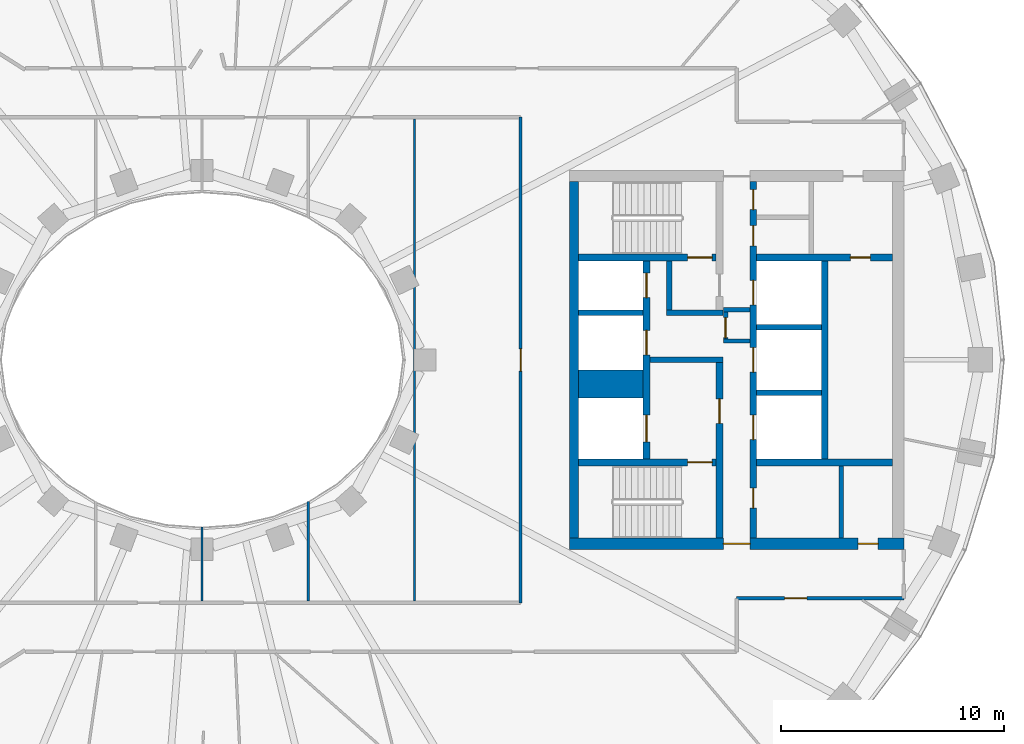
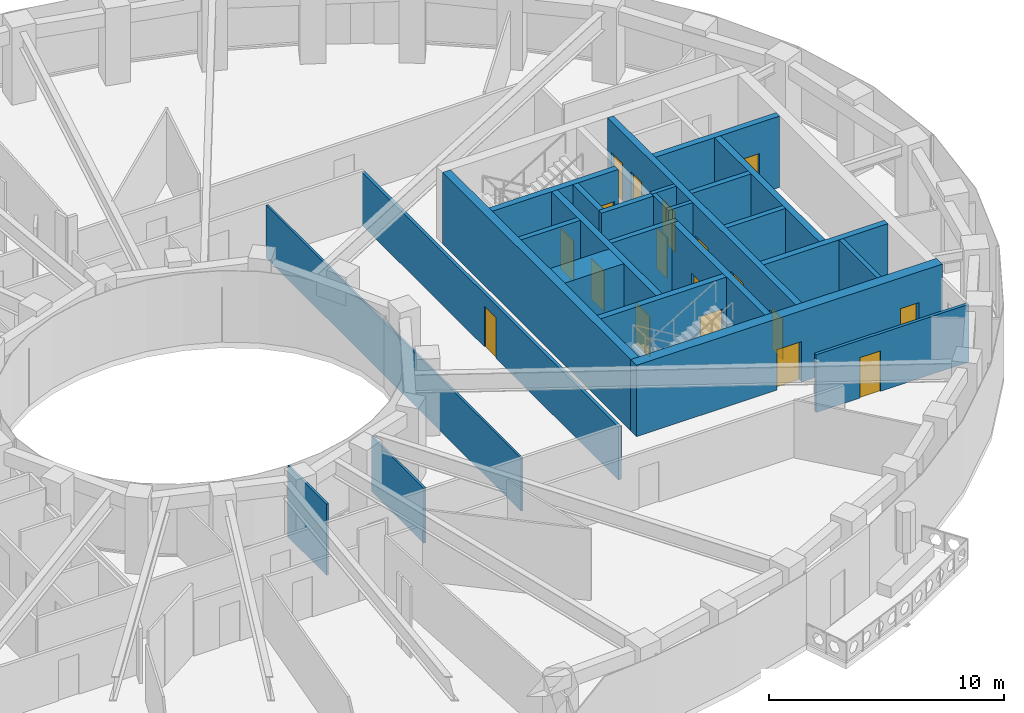
# One storey, part 5 of 15: 26 walls, 18 doors, 18 openings.
"""IFC4 building model written with IfcOpenShell, lengths in metres."""

from ifc_helpers import new_model, si_unit, direction, frame, frame_2d, origin, place, context, subcontext, project, spatial, rectangle, extrude, material, layer, layer_set, type_object, element, fill, save


model = new_model("IFC4")

# Units and contexts
model_context = context("Model", 3, precision=1e-05, world=origin(), true_north=direction((0.0, 1.0)))
body_context = subcontext(model_context, "Body", "Model", "MODEL_VIEW")
ifc_project = project(units=[si_unit("LENGTHUNIT", "METRE"), si_unit("AREAUNIT", "SQUARE_METRE"), si_unit("VOLUMEUNIT", "CUBIC_METRE"), si_unit("PLANEANGLEUNIT", "RADIAN"), si_unit("MASSUNIT", "GRAM", prefix="KILO")], contexts=[model_context])

# Site, building, storey
site_placement = place(None, origin())
site = spatial("IfcSite", under=ifc_project, at=site_placement, CompositionType="ELEMENT")
building_placement = place(site_placement, origin())
building = spatial("IfcBuilding", under=site, at=building_placement, Name="Noorbagh Ring Tower", CompositionType="ELEMENT")
storey_placement = place(building_placement, frame((0.0, 0.0, 241.5)))
storey = spatial("IfcBuildingStorey", under=building, at=storey_placement, Name="L50", CompositionType="ELEMENT", Elevation=241.5)

# Walls
ifc_material_1 = material(Name="Gypsum board on steel studs", Category="steel")
ifc_layer_1 = layer(ifc_material_1, 0.199951171875)
ifc_layer_set_1 = layer_set([ifc_layer_1], Name="Gypsum board on steel studs")
wall_type_1 = type_object("IfcWallType", Name="CORE-PARTITION-200", PredefinedType="PARTITIONING", material=ifc_layer_set_1)
for number, where, z_axis, x_axis, name in (
    (1, (23.39990234375, 0.85009765625, 0.0), (0.0, 0.0, 1.0), (1.0, 0.0, 0.0), "Core partition E"),
    (2, (23.39990234375, 2.25, 0.0), (0.0, 0.0, 1.0), (1.0, 0.0, 0.0), "Core partition E"),
):
    element("IfcWall", number, at=place(storey_placement, frame(where, z_axis=z_axis, x_axis=x_axis)), inside=storey, type_object=wall_type_1, Name=name, PredefinedType="PARTITIONING", context=body_context, shape_type="SweptSolid", body=[
        extrude(rectangle(XDim=1.2001953125, YDim=0.199951171875, at=frame_2d((0.60009765625, 0.0))), origin(), (0.0, 0.0, 1.0), 3.699951171875),
    ])

# Wall, opening, door
wall_1_placement = place(storey_placement, frame((23.5, 0.75, 0.0), z_axis=(0.0, 0.0, 1.0), x_axis=(0.0, 1.0, 0.0)))
wall_1 = element("IfcWall", 3, at=wall_1_placement, inside=storey, type_object=wall_type_1, Name="Core partition E", PredefinedType="PARTITIONING", context=body_context, shape_type="SweptSolid", body=[
    extrude(rectangle(XDim=1.60009765625, YDim=0.199951171875, at=frame_2d((0.800048828125, 0.0))), origin(), (0.0, 0.0, 1.0), 3.699951171875),
])
opening_1_placement = place(wall_1_placement, frame((0.25, 0.0, 0.0)))
opening_1 = element("IfcOpeningElement", 4, at=opening_1_placement, cuts=wall_1, Name="Opening L50-CE18", PredefinedType="OPENING", context=body_context, shape_type="SweptSolid", body=[
    extrude(rectangle(XDim=0.89990234375, YDim=2.10009765625, at=frame_2d((0.449951171875, 1.050048828125))), frame((0.0, 0.10986328125, 0.0), z_axis=(0.0, -1.0, 0.0), x_axis=(1.0, 0.0, 0.0)), (0.0, 0.0, 1.0), 0.219970703125),
])
ifc_material_2 = material(Name="Steel door leaf", Category="steel")
door_type_1 = type_object("IfcDoorType", Name="CORE-DOOR-DROOM", OperationType="SINGLE_SWING_LEFT", PredefinedType="DOOR", material=ifc_material_2)
door_1_placement = place(opening_1_placement, origin())
door_1 = element("IfcDoor", 5, at=door_1_placement, inside=storey, type_object=door_type_1, Name="Core room door L50-CE18", OperationType="SINGLE_SWING_LEFT", OverallHeight=2.10009765625, OverallWidth=0.89990234375, PredefinedType="DOOR", context=body_context, shape_type="SweptSolid", body=[
    extrude(rectangle(XDim=0.89990234375, YDim=2.10009765625, at=frame_2d((0.449951171875, 1.050048828125))), frame((0.0, 0.02490234375, 0.0), z_axis=(0.0, -1.0, 0.0), x_axis=(1.0, 0.0, 0.0)), (0.0, 0.0, 1.0), 0.050048828125),
])
fill(opening_1, door_1)

# Walls
wall_2_placement = place(storey_placement, frame((28.699951171875, -8.0, 0.0), z_axis=(0.0, 0.0, 1.0), x_axis=(0.0, 1.0, 0.0)))
element("IfcWall", 6, at=wall_2_placement, inside=storey, type_object=wall_type_1, Name="Core partition E", PredefinedType="PARTITIONING", context=body_context, shape_type="SweptSolid", body=[
    extrude(rectangle(XDim=3.25, YDim=0.199951171875, at=frame_2d((1.625, 0.0))), origin(), (0.0, 0.0, 1.0), 3.699951171875),
])
ifc_material_3 = material(Name="Concrete C60/75", Category="concrete")
ifc_layer_2 = layer(ifc_material_3, 1.25)
ifc_layer_set_2 = layer_set([ifc_layer_2], Name="Concrete C60/75")
wall_type_2 = type_object("IfcWallType", Name="CORE-WALL-1250-C60-75-EI120", PredefinedType="SHEAR", material=ifc_layer_set_2)
wall_3_placement = place(storey_placement, frame((16.89990234375, -1.074951171875, 0.0), z_axis=(0.0, 0.0, 1.0), x_axis=(1.0, 0.0, 0.0)))
element("IfcWall", 7, at=wall_3_placement, inside=storey, type_object=wall_type_2, Name="Core wall E", PredefinedType="SHEAR", context=body_context, shape_type="SweptSolid", body=[
    extrude(rectangle(XDim=2.900146484375, YDim=1.25, at=frame_2d((1.4501953125, 0.0))), origin(), (0.0, 0.0, 1.0), 3.699951171875),
])
ifc_material_4 = material(Name="Concrete C60/75", Category="concrete")
ifc_layer_3 = layer(ifc_material_4, 0.25)
ifc_layer_set_3 = layer_set([ifc_layer_3], Name="Concrete C60/75")
wall_type_3 = type_object("IfcWallType", Name="CORE-WALL-250-C60-75-EI120", PredefinedType="SHEAR", material=ifc_layer_set_3)
for number, where, z_axis, x_axis, name in (
    (8, (16.89990234375, 2.125, 0.0), (0.0, 0.0, 1.0), (1.0, 0.0, 0.0), "Core wall E"),
    (9, (24.89990234375, -1.47509765625, 0.0), (0.0, 0.0, 1.0), (1.0, 0.0, 0.0), "Core wall E"),
    (10, (24.89990234375, 1.47509765625, 0.0), (0.0, 0.0, 1.0), (1.0, 0.0, 0.0), "Core wall E"),
):
    element("IfcWall", number, at=place(storey_placement, frame(where, z_axis=z_axis, x_axis=x_axis)), inside=storey, type_object=wall_type_3, Name=name, PredefinedType="SHEAR", context=body_context, shape_type="SweptSolid", body=[
        extrude(rectangle(XDim=2.900146484375, YDim=0.25, at=frame_2d((1.4501953125, 0.0))), origin(), (0.0, 0.0, 1.0), 3.699951171875),
    ])
ifc_material_5 = material(Name="Concrete C60/75", Category="concrete")
ifc_layer_4 = layer(ifc_material_5, 0.25)
ifc_layer_set_4 = layer_set([ifc_layer_4], Name="Concrete C60/75")
wall_type_4 = type_object("IfcWallType", Name="CORE-WALL-250-C60-75-EI240", PredefinedType="SHEAR", material=ifc_layer_set_4)
wall_4_placement = place(storey_placement, frame((20.10009765625, 0.0, 0.0), z_axis=(0.0, 0.0, 1.0), x_axis=(1.0, 0.0, 0.0)))
element("IfcWall", 11, at=wall_4_placement, inside=storey, type_object=wall_type_4, Name="Core wall E", PredefinedType="SHEAR", context=body_context, shape_type="SweptSolid", body=[
    extrude(rectangle(XDim=3.27978515625, YDim=0.25, at=frame_2d((1.639892578125, 0.0))), origin(), (0.0, 0.0, 1.0), 3.699951171875),
])
wall_5_placement = place(storey_placement, frame((20.85009765625, 2.125, 0.0), z_axis=(0.0, 0.0, 1.0), x_axis=(1.0, 0.0, 0.0)))
element("IfcWall", 12, at=wall_5_placement, inside=storey, type_object=wall_type_4, Name="Core wall E", PredefinedType="SHEAR", context=body_context, shape_type="SweptSolid", body=[
    extrude(rectangle(XDim=2.52978515625, YDim=0.25, at=frame_2d((1.264892578125, 0.0))), origin(), (0.0, 0.0, 1.0), 3.699951171875),
])
wall_6_placement = place(storey_placement, frame((20.97509765625, 2.25, 0.0), z_axis=(0.0, 0.0, 1.0), x_axis=(0.0, 1.0, 0.0)))
element("IfcWall", 13, at=wall_6_placement, inside=storey, type_object=wall_type_4, Name="Core wall E", PredefinedType="SHEAR", context=body_context, shape_type="SweptSolid", body=[
    extrude(rectangle(XDim=2.199951171875, YDim=0.25, at=frame_2d((1.10009765625, 0.0))), origin(), (0.0, 0.0, 1.0), 3.699951171875),
])
ifc_material_6 = material(Name="Concrete C60/75", Category="concrete")
ifc_layer_5 = layer(ifc_material_6, 0.300048828125)
ifc_layer_set_5 = layer_set([ifc_layer_5], Name="Concrete C60/75")
wall_type_5 = type_object("IfcWallType", Name="CORE-WALL-300-C60-75-EI120", PredefinedType="SHEAR", material=ifc_layer_set_5)
wall_7_placement = place(storey_placement, frame((27.949951171875, -4.449951171875, 0.0), z_axis=(0.0, 0.0, 1.0), x_axis=(0.0, 1.0, 0.0)))
element("IfcWall", 14, at=wall_7_placement, inside=storey, type_object=wall_type_5, Name="Core wall E", PredefinedType="SHEAR", context=body_context, shape_type="SweptSolid", body=[
    extrude(rectangle(XDim=8.89990234375, YDim=0.300048828125, at=frame_2d((4.449951171875, 0.0))), origin(), (0.0, 0.0, 1.0), 3.699951171875),
])

# Wall, openings, doors
wall_8_placement = place(storey_placement, frame((19.949951171875, -4.449951171875, 0.0), z_axis=(0.0, 0.0, 1.0), x_axis=(0.0, 1.0, 0.0)))
wall_8 = element("IfcWall", 15, at=wall_8_placement, inside=storey, type_object=wall_type_5, Name="Core wall E", PredefinedType="SHEAR", context=body_context, shape_type="SweptSolid", body=[
    extrude(rectangle(XDim=8.89990234375, YDim=0.300048828125, at=frame_2d((4.449951171875, 0.0))), origin(), (0.0, 0.0, 1.0), 3.699951171875),
])
opening_2_placement = place(wall_8_placement, frame((0.77490234375, 0.0, 0.0)))
opening_2 = element("IfcOpeningElement", 16, at=opening_2_placement, cuts=wall_8, Name="Opening L50-CE01", PredefinedType="OPENING", context=body_context, shape_type="SweptSolid", body=[
    extrude(rectangle(XDim=1.199951171875, YDim=2.10009765625, at=frame_2d((0.60009765625, 1.050048828125))), frame((0.0, 0.16015625, 0.0), z_axis=(0.0, -1.0, 0.0), x_axis=(1.0, 0.0, 0.0)), (0.0, 0.0, 1.0), 0.320068359375),
])
opening_3_placement = place(wall_8_placement, frame((4.675048828125, 0.0, 0.0)))
opening_3 = element("IfcOpeningElement", 17, at=opening_3_placement, cuts=wall_8, Name="Opening L50-CE02", PredefinedType="OPENING", context=body_context, shape_type="SweptSolid", body=[
    extrude(rectangle(XDim=1.10009765625, YDim=2.10009765625, at=frame_2d((0.550048828125, 1.050048828125))), frame((0.0, 0.16015625, 0.0), z_axis=(0.0, -1.0, 0.0), x_axis=(1.0, 0.0, 0.0)), (0.0, 0.0, 1.0), 0.320068359375),
])
opening_4_placement = place(wall_8_placement, frame((7.25, 0.0, 0.0)))
opening_4 = element("IfcOpeningElement", 18, at=opening_4_placement, cuts=wall_8, Name="Opening L50-CE03", PredefinedType="OPENING", context=body_context, shape_type="SweptSolid", body=[
    extrude(rectangle(XDim=1.10009765625, YDim=2.10009765625, at=frame_2d((0.550048828125, 1.050048828125))), frame((0.0, 0.16015625, 0.0), z_axis=(0.0, -1.0, 0.0), x_axis=(1.0, 0.0, 0.0)), (0.0, 0.0, 1.0), 0.320068359375),
])
ifc_material_7 = material(Name="Steel door leaf", Category="steel")
door_type_2 = type_object("IfcDoorType", Name="CORE-DOOR-LD", OperationType="DOUBLE_DOOR_SLIDING", PredefinedType="DOOR", material=ifc_material_7)
door_2_placement = place(opening_3_placement, origin())
door_2 = element("IfcDoor", 19, at=door_2_placement, inside=storey, type_object=door_type_2, Name="Landing door HR7 L50-CE02", OperationType="DOUBLE_DOOR_SLIDING", OverallHeight=2.10009765625, OverallWidth=1.10009765625, PredefinedType="DOOR", context=body_context, shape_type="SweptSolid", body=[
    extrude(rectangle(XDim=1.10009765625, YDim=2.10009765625, at=frame_2d((0.550048828125, 1.050048828125))), frame((0.0, 0.02490234375, 0.0), z_axis=(0.0, -1.0, 0.0), x_axis=(1.0, 0.0, 0.0)), (0.0, 0.0, 1.0), 0.050048828125),
])
fill(opening_3, door_2)
door_3_placement = place(opening_4_placement, origin())
door_3 = element("IfcDoor", 20, at=door_3_placement, inside=storey, type_object=door_type_2, Name="Landing door HR8 L50-CE03", OperationType="DOUBLE_DOOR_SLIDING", OverallHeight=2.10009765625, OverallWidth=1.10009765625, PredefinedType="DOOR", context=body_context, shape_type="SweptSolid", body=[
    extrude(rectangle(XDim=1.10009765625, YDim=2.10009765625, at=frame_2d((0.550048828125, 1.050048828125))), frame((0.0, 0.02490234375, 0.0), z_axis=(0.0, -1.0, 0.0), x_axis=(1.0, 0.0, 0.0)), (0.0, 0.0, 1.0), 0.050048828125),
])
fill(opening_4, door_3)
ifc_material_8 = material(Name="Steel door leaf", Category="steel")
door_type_3 = type_object("IfcDoorType", Name="CORE-DOOR-LDW", OperationType="DOUBLE_DOOR_SLIDING", PredefinedType="DOOR", material=ifc_material_8)
door_4_placement = place(opening_2_placement, origin())
door_4 = element("IfcDoor", 21, at=door_4_placement, inside=storey, type_object=door_type_3, Name="Landing door FF2 L50-CE01", OperationType="DOUBLE_DOOR_SLIDING", OverallHeight=2.10009765625, OverallWidth=1.199951171875, PredefinedType="DOOR", context=body_context, shape_type="SweptSolid", body=[
    extrude(rectangle(XDim=1.199951171875, YDim=2.10009765625, at=frame_2d((0.60009765625, 1.050048828125))), frame((0.0, 0.02490234375, 0.0), z_axis=(0.0, -1.0, 0.0), x_axis=(1.0, 0.0, 0.0)), (0.0, 0.0, 1.0), 0.050048828125),
])
fill(opening_2, door_4)

wall_9_placement = place(storey_placement, frame((24.75, -8.0, 0.0), z_axis=(0.0, 0.0, 1.0), x_axis=(0.0, 1.0, 0.0)))
wall_9 = element("IfcWall", 22, at=wall_9_placement, inside=storey, type_object=wall_type_5, Name="Core wall E", PredefinedType="SHEAR", context=body_context, shape_type="SweptSolid", body=[
    extrude(rectangle(XDim=16.0, YDim=0.300048828125, at=frame_2d((8.0, 0.0))), origin(), (0.0, 0.0, 1.0), 3.699951171875),
])
opening_5_placement = place(wall_9_placement, frame((4.425048828125, 0.0, 0.0)))
opening_5 = element("IfcOpeningElement", 23, at=opening_5_placement, cuts=wall_9, Name="Opening L50-CE04", PredefinedType="OPENING", context=body_context, shape_type="SweptSolid", body=[
    extrude(rectangle(XDim=1.10009765625, YDim=2.10009765625, at=frame_2d((0.550048828125, 1.050048828125))), frame((0.0, 0.16015625, 0.0), z_axis=(0.0, -1.0, 0.0), x_axis=(1.0, 0.0, 0.0)), (0.0, 0.0, 1.0), 0.320068359375),
])
opening_6_placement = place(wall_9_placement, frame((7.449951171875, 0.0, 0.0)))
opening_6 = element("IfcOpeningElement", 24, at=opening_6_placement, cuts=wall_9, Name="Opening L50-CE05", PredefinedType="OPENING", context=body_context, shape_type="SweptSolid", body=[
    extrude(rectangle(XDim=1.10009765625, YDim=2.10009765625, at=frame_2d((0.550048828125, 1.050048828125))), frame((0.0, 0.16015625, 0.0), z_axis=(0.0, -1.0, 0.0), x_axis=(1.0, 0.0, 0.0)), (0.0, 0.0, 1.0), 0.320068359375),
])
opening_7_placement = place(wall_9_placement, frame((10.47509765625, 0.0, 0.0)))
opening_7 = element("IfcOpeningElement", 25, at=opening_7_placement, cuts=wall_9, Name="Opening L50-CE06", PredefinedType="OPENING", context=body_context, shape_type="SweptSolid", body=[
    extrude(rectangle(XDim=1.10009765625, YDim=2.10009765625, at=frame_2d((0.550048828125, 1.050048828125))), frame((0.0, 0.16015625, 0.0), z_axis=(0.0, -1.0, 0.0), x_axis=(1.0, 0.0, 0.0)), (0.0, 0.0, 1.0), 0.320068359375),
])
opening_8_placement = place(wall_9_placement, frame((13.125, 0.0, 0.0)))
opening_8 = element("IfcOpeningElement", 26, at=opening_8_placement, cuts=wall_9, Name="Opening L50-CE13", PredefinedType="OPENING", context=body_context, shape_type="SweptSolid", body=[
    extrude(rectangle(XDim=0.89990234375, YDim=2.10009765625, at=frame_2d((0.449951171875, 1.050048828125))), frame((0.0, 0.16015625, 0.0), z_axis=(0.0, -1.0, 0.0), x_axis=(1.0, 0.0, 0.0)), (0.0, 0.0, 1.0), 0.320068359375),
])
opening_9_placement = place(wall_9_placement, frame((14.75, 0.0, 0.0)))
opening_9 = element("IfcOpeningElement", 27, at=opening_9_placement, cuts=wall_9, Name="Opening L50-CE14", PredefinedType="OPENING", context=body_context, shape_type="SweptSolid", body=[
    extrude(rectangle(XDim=0.89990234375, YDim=2.10009765625, at=frame_2d((0.449951171875, 1.050048828125))), frame((0.0, 0.16015625, 0.0), z_axis=(0.0, -1.0, 0.0), x_axis=(1.0, 0.0, 0.0)), (0.0, 0.0, 1.0), 0.320068359375),
])
opening_10_placement = place(wall_9_placement, frame((1.35009765625, 0.0, 0.0)))
opening_10 = element("IfcOpeningElement", 28, at=opening_10_placement, cuts=wall_9, Name="Opening L50-CE16", PredefinedType="OPENING", context=body_context, shape_type="SweptSolid", body=[
    extrude(rectangle(XDim=0.89990234375, YDim=2.10009765625, at=frame_2d((0.449951171875, 1.050048828125))), frame((0.0, 0.16015625, 0.0), z_axis=(0.0, -1.0, 0.0), x_axis=(1.0, 0.0, 0.0)), (0.0, 0.0, 1.0), 0.320068359375),
])
door_5_placement = place(opening_8_placement, origin())
door_5 = element("IfcDoor", 29, at=door_5_placement, inside=storey, type_object=door_type_1, Name="Core room door L50-CE13", OperationType="SINGLE_SWING_RIGHT", OverallHeight=2.10009765625, OverallWidth=0.89990234375, PredefinedType="DOOR", context=body_context, shape_type="SweptSolid", body=[
    extrude(rectangle(XDim=0.89990234375, YDim=2.10009765625, at=frame_2d((0.449951171875, 1.050048828125))), frame((0.0, 0.02490234375, 0.0), z_axis=(0.0, -1.0, 0.0), x_axis=(1.0, 0.0, 0.0)), (0.0, 0.0, 1.0), 0.050048828125),
])
fill(opening_8, door_5)
door_6_placement = place(opening_9_placement, origin())
door_6 = element("IfcDoor", 30, at=door_6_placement, inside=storey, type_object=door_type_1, Name="Core room door L50-CE14", OperationType="SINGLE_SWING_LEFT", OverallHeight=2.10009765625, OverallWidth=0.89990234375, PredefinedType="DOOR", context=body_context, shape_type="SweptSolid", body=[
    extrude(rectangle(XDim=0.89990234375, YDim=2.10009765625, at=frame_2d((0.449951171875, 1.050048828125))), frame((0.0, 0.02490234375, 0.0), z_axis=(0.0, -1.0, 0.0), x_axis=(1.0, 0.0, 0.0)), (0.0, 0.0, 1.0), 0.050048828125),
])
fill(opening_9, door_6)
door_7_placement = place(opening_10_placement, origin())
door_7 = element("IfcDoor", 31, at=door_7_placement, inside=storey, type_object=door_type_1, Name="Core room door L50-CE16", OperationType="SINGLE_SWING_RIGHT", OverallHeight=2.10009765625, OverallWidth=0.89990234375, PredefinedType="DOOR", context=body_context, shape_type="SweptSolid", body=[
    extrude(rectangle(XDim=0.89990234375, YDim=2.10009765625, at=frame_2d((0.449951171875, 1.050048828125))), frame((0.0, 0.02490234375, 0.0), z_axis=(0.0, -1.0, 0.0), x_axis=(1.0, 0.0, 0.0)), (0.0, 0.0, 1.0), 0.050048828125),
])
fill(opening_10, door_7)
door_8_placement = place(opening_5_placement, origin())
door_8 = element("IfcDoor", 32, at=door_8_placement, inside=storey, type_object=door_type_2, Name="Landing door HR9 L50-CE04", OperationType="DOUBLE_DOOR_SLIDING", OverallHeight=2.10009765625, OverallWidth=1.10009765625, PredefinedType="DOOR", context=body_context, shape_type="SweptSolid", body=[
    extrude(rectangle(XDim=1.10009765625, YDim=2.10009765625, at=frame_2d((0.550048828125, 1.050048828125))), frame((0.0, 0.02490234375, 0.0), z_axis=(0.0, -1.0, 0.0), x_axis=(1.0, 0.0, 0.0)), (0.0, 0.0, 1.0), 0.050048828125),
])
fill(opening_5, door_8)
door_9_placement = place(opening_6_placement, origin())
door_9 = element("IfcDoor", 33, at=door_9_placement, inside=storey, type_object=door_type_2, Name="Landing door HR10 L50-CE05", OperationType="DOUBLE_DOOR_SLIDING", OverallHeight=2.10009765625, OverallWidth=1.10009765625, PredefinedType="DOOR", context=body_context, shape_type="SweptSolid", body=[
    extrude(rectangle(XDim=1.10009765625, YDim=2.10009765625, at=frame_2d((0.550048828125, 1.050048828125))), frame((0.0, 0.02490234375, 0.0), z_axis=(0.0, -1.0, 0.0), x_axis=(1.0, 0.0, 0.0)), (0.0, 0.0, 1.0), 0.050048828125),
])
fill(opening_6, door_9)
door_10_placement = place(opening_7_placement, origin())
door_10 = element("IfcDoor", 34, at=door_10_placement, inside=storey, type_object=door_type_2, Name="Landing door HR11 L50-CE06", OperationType="DOUBLE_DOOR_SLIDING", OverallHeight=2.10009765625, OverallWidth=1.10009765625, PredefinedType="DOOR", context=body_context, shape_type="SweptSolid", body=[
    extrude(rectangle(XDim=1.10009765625, YDim=2.10009765625, at=frame_2d((0.550048828125, 1.050048828125))), frame((0.0, 0.02490234375, 0.0), z_axis=(0.0, -1.0, 0.0), x_axis=(1.0, 0.0, 0.0)), (0.0, 0.0, 1.0), 0.050048828125),
])
fill(opening_7, door_10)

# Wall, opening, door
ifc_material_9 = material(Name="Concrete C60/75", Category="concrete")
ifc_layer_6 = layer(ifc_material_9, 0.300048828125)
ifc_layer_set_6 = layer_set([ifc_layer_6], Name="Concrete C60/75")
wall_type_6 = type_object("IfcWallType", Name="CORE-WALL-300-C60-75-EI240", PredefinedType="SHEAR", material=ifc_layer_set_6)
wall_10_placement = place(storey_placement, frame((24.89990234375, 4.60009765625, 0.0), z_axis=(0.0, 0.0, 1.0), x_axis=(1.0, 0.0, 0.0)))
wall_10 = element("IfcWall", 35, at=wall_10_placement, inside=storey, type_object=wall_type_6, Name="Core wall E", PredefinedType="SHEAR", context=body_context, shape_type="SweptSolid", body=[
    extrude(rectangle(XDim=6.10009765625, YDim=0.300048828125, at=frame_2d((3.050048828125, 0.0))), origin(), (0.0, 0.0, 1.0), 3.699951171875),
])
opening_11_placement = place(wall_10_placement, frame((4.199951171875, 0.0, 0.0)))
opening_11 = element("IfcOpeningElement", 36, at=opening_11_placement, cuts=wall_10, Name="Opening L50-CE19", PredefinedType="OPENING", context=body_context, shape_type="SweptSolid", body=[
    extrude(rectangle(XDim=0.89990234375, YDim=2.10009765625, at=frame_2d((0.449951171875, 1.050048828125))), frame((0.0, 0.16015625, 0.0), z_axis=(0.0, -1.0, 0.0), x_axis=(1.0, 0.0, 0.0)), (0.0, 0.0, 1.0), 0.320068359375),
])
door_11_placement = place(opening_11_placement, origin())
door_11 = element("IfcDoor", 37, at=door_11_placement, inside=storey, type_object=door_type_1, Name="Core room door L50-CE19", OperationType="SINGLE_SWING_RIGHT", OverallHeight=2.10009765625, OverallWidth=0.89990234375, PredefinedType="DOOR", context=body_context, shape_type="SweptSolid", body=[
    extrude(rectangle(XDim=0.89990234375, YDim=2.10009765625, at=frame_2d((0.449951171875, 1.050048828125))), frame((0.0, 0.02490234375, 0.0), z_axis=(0.0, -1.0, 0.0), x_axis=(1.0, 0.0, 0.0)), (0.0, 0.0, 1.0), 0.050048828125),
])
fill(opening_11, door_11)

# Wall
wall_11_placement = place(storey_placement, frame((24.89990234375, -4.60009765625, 0.0), z_axis=(0.0, 0.0, 1.0), x_axis=(1.0, 0.0, 0.0)))
element("IfcWall", 38, at=wall_11_placement, inside=storey, type_object=wall_type_6, Name="Core wall E", PredefinedType="SHEAR", context=body_context, shape_type="SweptSolid", body=[
    extrude(rectangle(XDim=6.10009765625, YDim=0.300048828125, at=frame_2d((3.050048828125, 0.0))), origin(), (0.0, 0.0, 1.0), 3.699951171875),
])

# Wall, opening, door
wall_12_placement = place(storey_placement, frame((23.22998046875, -8.0, 0.0), z_axis=(0.0, 0.0, 1.0), x_axis=(0.0, 1.0, 0.0)))
wall_12 = element("IfcWall", 39, at=wall_12_placement, inside=storey, type_object=wall_type_6, Name="Core wall E", PredefinedType="SHEAR", context=body_context, shape_type="SweptSolid", body=[
    extrude(rectangle(XDim=7.875, YDim=0.300048828125, at=frame_2d((3.9375, 0.0))), origin(), (0.0, 0.0, 1.0), 3.699951171875),
])
opening_12_placement = place(wall_12_placement, frame((5.14990234375, 0.0, 0.0)))
opening_12 = element("IfcOpeningElement", 40, at=opening_12_placement, cuts=wall_12, Name="Opening L50-CE09", PredefinedType="OPENING", context=body_context, shape_type="SweptSolid", body=[
    extrude(rectangle(XDim=1.10009765625, YDim=2.10009765625, at=frame_2d((0.550048828125, 1.050048828125))), frame((0.0, 0.16015625, 0.0), z_axis=(0.0, -1.0, 0.0), x_axis=(1.0, 0.0, 0.0)), (0.0, 0.0, 1.0), 0.320068359375),
])
ifc_material_10 = material(Name="Steel door leaf", Category="steel")
door_type_4 = type_object("IfcDoorType", Name="CORE-DOOR-DFF", OperationType="SINGLE_SWING_LEFT", PredefinedType="DOOR", material=ifc_material_10)
door_12_placement = place(opening_12_placement, origin())
door_12 = element("IfcDoor", 41, at=door_12_placement, inside=storey, type_object=door_type_4, Name="Firefighting lobby door L50-CE09", OperationType="SINGLE_SWING_RIGHT", OverallHeight=2.10009765625, OverallWidth=1.10009765625, PredefinedType="DOOR", context=body_context, shape_type="SweptSolid", body=[
    extrude(rectangle(XDim=1.10009765625, YDim=2.10009765625, at=frame_2d((0.550048828125, 1.050048828125))), frame((0.0, 0.02490234375, 0.0), z_axis=(0.0, -1.0, 0.0), x_axis=(1.0, 0.0, 0.0)), (0.0, 0.0, 1.0), 0.050048828125),
])
fill(opening_12, door_12)

wall_13_placement = place(storey_placement, frame((16.89990234375, 4.60009765625, 0.0), z_axis=(0.0, 0.0, 1.0), x_axis=(1.0, 0.0, 0.0)))
wall_13 = element("IfcWall", 42, at=wall_13_placement, inside=storey, type_object=wall_type_6, Name="Core wall E", PredefinedType="SHEAR", context=body_context, shape_type="SweptSolid", body=[
    extrude(rectangle(XDim=6.18017578125, YDim=0.300048828125, at=frame_2d((3.090087890625, 0.0))), origin(), (0.0, 0.0, 1.0), 3.699951171875),
])
opening_13_placement = place(wall_13_placement, frame((4.89990234375, 0.0, 0.0)))
opening_13 = element("IfcOpeningElement", 43, at=opening_13_placement, cuts=wall_13, Name="Opening L50-CE07", PredefinedType="OPENING", context=body_context, shape_type="SweptSolid", body=[
    extrude(rectangle(XDim=1.10009765625, YDim=2.10009765625, at=frame_2d((0.550048828125, 1.050048828125))), frame((0.0, 0.16015625, 0.0), z_axis=(0.0, -1.0, 0.0), x_axis=(1.0, 0.0, 0.0)), (0.0, 0.0, 1.0), 0.320068359375),
])
ifc_material_11 = material(Name="Steel door leaf", Category="steel")
door_type_5 = type_object("IfcDoorType", Name="CORE-DOOR-DSTAIR", OperationType="SINGLE_SWING_LEFT", PredefinedType="DOOR", material=ifc_material_11)
door_13_placement = place(opening_13_placement, origin())
door_13 = element("IfcDoor", 44, at=door_13_placement, inside=storey, type_object=door_type_5, Name="Stair door ST3 L50-CE07", OperationType="SINGLE_SWING_LEFT", OverallHeight=2.10009765625, OverallWidth=1.10009765625, PredefinedType="DOOR", context=body_context, shape_type="SweptSolid", body=[
    extrude(rectangle(XDim=1.10009765625, YDim=2.10009765625, at=frame_2d((0.550048828125, 1.050048828125))), frame((0.0, 0.02490234375, 0.0), z_axis=(0.0, -1.0, 0.0), x_axis=(1.0, 0.0, 0.0)), (0.0, 0.0, 1.0), 0.050048828125),
])
fill(opening_13, door_13)

wall_14_placement = place(storey_placement, frame((16.89990234375, -4.60009765625, 0.0), z_axis=(0.0, 0.0, 1.0), x_axis=(1.0, 0.0, 0.0)))
wall_14 = element("IfcWall", 45, at=wall_14_placement, inside=storey, type_object=wall_type_6, Name="Core wall E", PredefinedType="SHEAR", context=body_context, shape_type="SweptSolid", body=[
    extrude(rectangle(XDim=6.18017578125, YDim=0.300048828125, at=frame_2d((3.090087890625, 0.0))), origin(), (0.0, 0.0, 1.0), 3.699951171875),
])
opening_14_placement = place(wall_14_placement, frame((4.89990234375, 0.0, 0.0)))
opening_14 = element("IfcOpeningElement", 46, at=opening_14_placement, cuts=wall_14, Name="Opening L50-CE08", PredefinedType="OPENING", context=body_context, shape_type="SweptSolid", body=[
    extrude(rectangle(XDim=1.10009765625, YDim=2.10009765625, at=frame_2d((0.550048828125, 1.050048828125))), frame((0.0, 0.16015625, 0.0), z_axis=(0.0, -1.0, 0.0), x_axis=(1.0, 0.0, 0.0)), (0.0, 0.0, 1.0), 0.320068359375),
])
door_14_placement = place(opening_14_placement, origin())
door_14 = element("IfcDoor", 47, at=door_14_placement, inside=storey, type_object=door_type_5, Name="Stair door ST4 L50-CE08", OperationType="SINGLE_SWING_RIGHT", OverallHeight=2.10009765625, OverallWidth=1.10009765625, PredefinedType="DOOR", context=body_context, shape_type="SweptSolid", body=[
    extrude(rectangle(XDim=1.10009765625, YDim=2.10009765625, at=frame_2d((0.550048828125, 1.050048828125))), frame((0.0, 0.02490234375, 0.0), z_axis=(0.0, -1.0, 0.0), x_axis=(1.0, 0.0, 0.0)), (0.0, 0.0, 1.0), 0.050048828125),
])
fill(opening_14, door_14)

# Wall
ifc_material_12 = material(Name="Concrete C60/75", Category="concrete")
ifc_layer_7 = layer(ifc_material_12, 0.39990234375)
ifc_layer_set_7 = layer_set([ifc_layer_7], Name="Concrete C60/75")
wall_type_7 = type_object("IfcWallType", Name="CORE-WALL-400-C60-75-EI240", PredefinedType="SHEAR", material=ifc_layer_set_7)
wall_15_placement = place(storey_placement, frame((16.699951171875, -8.0, 0.0), z_axis=(0.0, 0.0, 1.0), x_axis=(0.0, 1.0, 0.0)))
element("IfcWall", 48, at=wall_15_placement, inside=storey, type_object=wall_type_7, Name="Core wall E", PredefinedType="SHEAR", context=body_context, shape_type="SweptSolid", body=[
    extrude(rectangle(XDim=16.0, YDim=0.39990234375, at=frame_2d((8.0, 0.0))), origin(), (0.0, 0.0, 1.0), 3.699951171875),
])

# Wall, openings, doors
ifc_material_13 = material(Name="Concrete C60/75", Category="concrete")
ifc_layer_8 = layer(ifc_material_13, 0.5)
ifc_layer_set_8 = layer_set([ifc_layer_8], Name="Concrete C60/75")
wall_type_8 = type_object("IfcWallType", Name="CORE-WALL-500-C60-75-EI240", PredefinedType="SHEAR", material=ifc_layer_set_8)
wall_16_placement = place(storey_placement, frame((16.5, -8.25, 0.0), z_axis=(0.0, 0.0, 1.0), x_axis=(1.0, 0.0, 0.0)))
wall_16 = element("IfcWall", 49, at=wall_16_placement, inside=storey, type_object=wall_type_8, Name="Core wall E", PredefinedType="SHEAR", context=body_context, shape_type="SweptSolid", body=[
    extrude(rectangle(XDim=15.0, YDim=0.5, at=frame_2d((7.5, 0.0))), origin(), (0.0, 0.0, 1.0), 3.699951171875),
])
opening_15_placement = place(wall_16_placement, frame((6.89990234375, 0.0, 0.0)))
opening_15 = element("IfcOpeningElement", 50, at=opening_15_placement, cuts=wall_16, Name="Opening L50-CE12", PredefinedType="OPENING", context=body_context, shape_type="SweptSolid", body=[
    extrude(rectangle(XDim=1.199951171875, YDim=2.10009765625, at=frame_2d((0.60009765625, 1.050048828125))), frame((0.0, 0.260009765625, 0.0), z_axis=(0.0, -1.0, 0.0), x_axis=(1.0, 0.0, 0.0)), (0.0, 0.0, 1.0), 0.52001953125),
])
opening_16_placement = place(wall_16_placement, frame((12.949951171875, 0.0, 0.0)))
opening_16 = element("IfcOpeningElement", 51, at=opening_16_placement, cuts=wall_16, Name="Opening L50-CE17", PredefinedType="OPENING", context=body_context, shape_type="SweptSolid", body=[
    extrude(rectangle(XDim=0.89990234375, YDim=2.10009765625, at=frame_2d((0.449951171875, 1.050048828125))), frame((0.0, 0.260009765625, 0.0), z_axis=(0.0, -1.0, 0.0), x_axis=(1.0, 0.0, 0.0)), (0.0, 0.0, 1.0), 0.52001953125),
])
door_15_placement = place(opening_16_placement, origin())
door_15 = element("IfcDoor", 52, at=door_15_placement, inside=storey, type_object=door_type_1, Name="Core room door L50-CE17", OperationType="SINGLE_SWING_RIGHT", OverallHeight=2.10009765625, OverallWidth=0.89990234375, PredefinedType="DOOR", context=body_context, shape_type="SweptSolid", body=[
    extrude(rectangle(XDim=0.89990234375, YDim=2.10009765625, at=frame_2d((0.449951171875, 1.050048828125))), frame((0.0, 0.02490234375, 0.0), z_axis=(0.0, -1.0, 0.0), x_axis=(1.0, 0.0, 0.0)), (0.0, 0.0, 1.0), 0.050048828125),
])
fill(opening_16, door_15)
ifc_material_14 = material(Name="Steel door leaf", Category="steel")
door_type_6 = type_object("IfcDoorType", Name="CORE-DOOR-PORT", OperationType="DOUBLE_DOOR_DOUBLE_SWING", PredefinedType="DOOR", material=ifc_material_14)
door_16_placement = place(opening_15_placement, origin())
door_16 = element("IfcDoor", 53, at=door_16_placement, inside=storey, type_object=door_type_6, Name="Core entrance door L50-CE12", OperationType="DOUBLE_DOOR_DOUBLE_SWING", OverallHeight=2.10009765625, OverallWidth=1.199951171875, PredefinedType="DOOR", context=body_context, shape_type="SweptSolid", body=[
    extrude(rectangle(XDim=1.199951171875, YDim=2.10009765625, at=frame_2d((0.60009765625, 1.050048828125))), frame((0.0, 0.02490234375, 0.0), z_axis=(0.0, -1.0, 0.0), x_axis=(1.0, 0.0, 0.0)), (0.0, 0.0, 1.0), 0.050048828125),
])
fill(opening_15, door_16)

# Wall, opening, door
ifc_material_15 = material(Name="Gypsum board on steel studs", Category="steel")
ifc_layer_9 = layer(ifc_material_15, 0.14990234375)
ifc_layer_set_9 = layer_set([ifc_layer_9], Name="Gypsum board on steel studs")
wall_type_9 = type_object("IfcWallType", Name="CORRIDOR PARTITION 150 EI 30", PredefinedType="PARTITIONING", material=ifc_layer_set_9)
wall_17_placement = place(storey_placement, frame((14.300048828125, -10.89990234375, 0.0), z_axis=(0.0, 0.0, 1.0), x_axis=(0.0, 1.0, 0.0)))
wall_17 = element("IfcWall", 54, at=wall_17_placement, inside=storey, type_object=wall_type_9, Name="L50/wall/P65", PredefinedType="PARTITIONING", context=body_context, shape_type="SweptSolid", body=[
    extrude(rectangle(XDim=21.7998046875, YDim=0.14990234375, at=frame_2d((10.89990234375, 0.0))), origin(), (0.0, 0.0, 1.0), 2.75),
])
opening_17_placement = place(wall_17_placement, frame((10.39990234375, 0.0, 0.0)))
opening_17 = element("IfcOpeningElement", 55, at=opening_17_placement, cuts=wall_17, Name="Opening D1", PredefinedType="OPENING", context=body_context, shape_type="SweptSolid", body=[
    extrude(rectangle(XDim=1.0, YDim=2.10009765625, at=frame_2d((0.5, 1.050048828125))), frame((0.0, 0.0849609375, 0.0), z_axis=(0.0, -1.0, 0.0), x_axis=(1.0, 0.0, 0.0)), (0.0, 0.0, 1.0), 0.169921875),
])
ifc_material_16 = material(Name="Timber, painted", Category="wood")
door_type_7 = type_object("IfcDoorType", Name="DOOR 1000 X 2100 FD30", OperationType="SINGLE_SWING_LEFT", PredefinedType="DOOR", material=ifc_material_16)
door_17_placement = place(opening_17_placement, origin())
door_17 = element("IfcDoor", 56, at=door_17_placement, inside=storey, type_object=door_type_7, Name="L50-D30", OperationType="SINGLE_SWING_RIGHT", OverallHeight=2.10009765625, OverallWidth=1.0, PredefinedType="DOOR", context=body_context, shape_type="SweptSolid", body=[
    extrude(rectangle(XDim=1.0, YDim=2.10009765625, at=frame_2d((0.5, 1.050048828125))), frame((0.0, 0.02490234375, 0.0), z_axis=(0.0, -1.0, 0.0), x_axis=(1.0, 0.0, 0.0)), (0.0, 0.0, 1.0), 0.050048828125),
])
fill(opening_17, door_17)

wall_18_placement = place(storey_placement, frame((24.0, -10.699951171875, 0.0), z_axis=(0.0, 0.0, 1.0), x_axis=(1.0, 0.0, 0.0)))
wall_18 = element("IfcWall", 57, at=wall_18_placement, inside=storey, type_object=wall_type_9, Name="L50/wall/P69", PredefinedType="PARTITIONING", context=body_context, shape_type="SweptSolid", body=[
    extrude(rectangle(XDim=7.5, YDim=0.14990234375, at=frame_2d((3.75, 0.0))), origin(), (0.0, 0.0, 1.0), 3.0),
])
opening_18_placement = place(wall_18_placement, frame((2.14990234375, 0.0, 0.0)))
opening_18 = element("IfcOpeningElement", 58, at=opening_18_placement, cuts=wall_18, Name="Opening D1", PredefinedType="OPENING", context=body_context, shape_type="SweptSolid", body=[
    extrude(rectangle(XDim=1.0, YDim=2.10009765625, at=frame_2d((0.5, 1.050048828125))), frame((0.0, 0.0849609375, 0.0), z_axis=(0.0, -1.0, 0.0), x_axis=(1.0, 0.0, 0.0)), (0.0, 0.0, 1.0), 0.169921875),
])
door_18_placement = place(opening_18_placement, origin())
door_18 = element("IfcDoor", 59, at=door_18_placement, inside=storey, type_object=door_type_7, Name="L50-D20", OperationType="SINGLE_SWING_RIGHT", OverallHeight=2.10009765625, OverallWidth=1.0, PredefinedType="DOOR", context=body_context, shape_type="SweptSolid", body=[
    extrude(rectangle(XDim=1.0, YDim=2.10009765625, at=frame_2d((0.5, 1.050048828125))), frame((0.0, 0.02490234375, 0.0), z_axis=(0.0, -1.0, 0.0), x_axis=(1.0, 0.0, 0.0)), (0.0, 0.0, 1.0), 0.050048828125),
])
fill(opening_18, door_18)

# Walls
ifc_material_17 = material(Name="Gypsum board on steel studs", Category="steel")
ifc_layer_10 = layer(ifc_material_17, 0.10009765625)
ifc_layer_set_10 = layer_set([ifc_layer_10], Name="Gypsum board on steel studs")
wall_type_10 = type_object("IfcWallType", Name="PARTITION 100 GYPSUM", PredefinedType="PARTITIONING", material=ifc_layer_set_10)
wall_19_placement = place(storey_placement, frame((0.0, -10.824951171875, 0.0), z_axis=(0.0, 0.0, 1.0), x_axis=(0.0, 1.0, 0.0)))
element("IfcWall", 60, at=wall_19_placement, inside=storey, type_object=wall_type_10, Name="L50/wall/P43", PredefinedType="PARTITIONING", context=body_context, shape_type="SweptSolid", body=[
    extrude(rectangle(XDim=3.321044921875, YDim=0.10009765625, at=frame_2d((1.66064453125, 0.0))), origin(), (0.0, 0.0, 1.0), 3.699951171875),
])
wall_20_placement = place(storey_placement, frame((4.76708984375, -10.824951171875, 0.0), z_axis=(0.0, 0.0, 1.0), x_axis=(0.0, 1.0, 0.0)))
element("IfcWall", 61, at=wall_20_placement, inside=storey, type_object=wall_type_10, Name="L50/wall/P58", PredefinedType="PARTITIONING", context=body_context, shape_type="SweptSolid", body=[
    extrude(rectangle(XDim=4.4619140625, YDim=0.10009765625, at=frame_2d((2.23095703125, 0.0))), origin(), (0.0, 0.0, 1.0), 2.85009765625),
])
wall_21_placement = place(storey_placement, frame((9.532958984375, -10.824951171875, 0.0), z_axis=(0.0, 0.0, 1.0), x_axis=(0.0, 1.0, 0.0)))
element("IfcWall", 62, at=wall_21_placement, inside=storey, type_object=wall_type_10, Name="L50/wall/P64", PredefinedType="PARTITIONING", context=body_context, shape_type="SweptSolid", body=[
    extrude(rectangle(XDim=21.64990234375, YDim=0.10009765625, at=frame_2d((10.824951171875, 0.0))), origin(), (0.0, 0.0, 1.0), 2.75),
])

save(model, "model.ifc")
